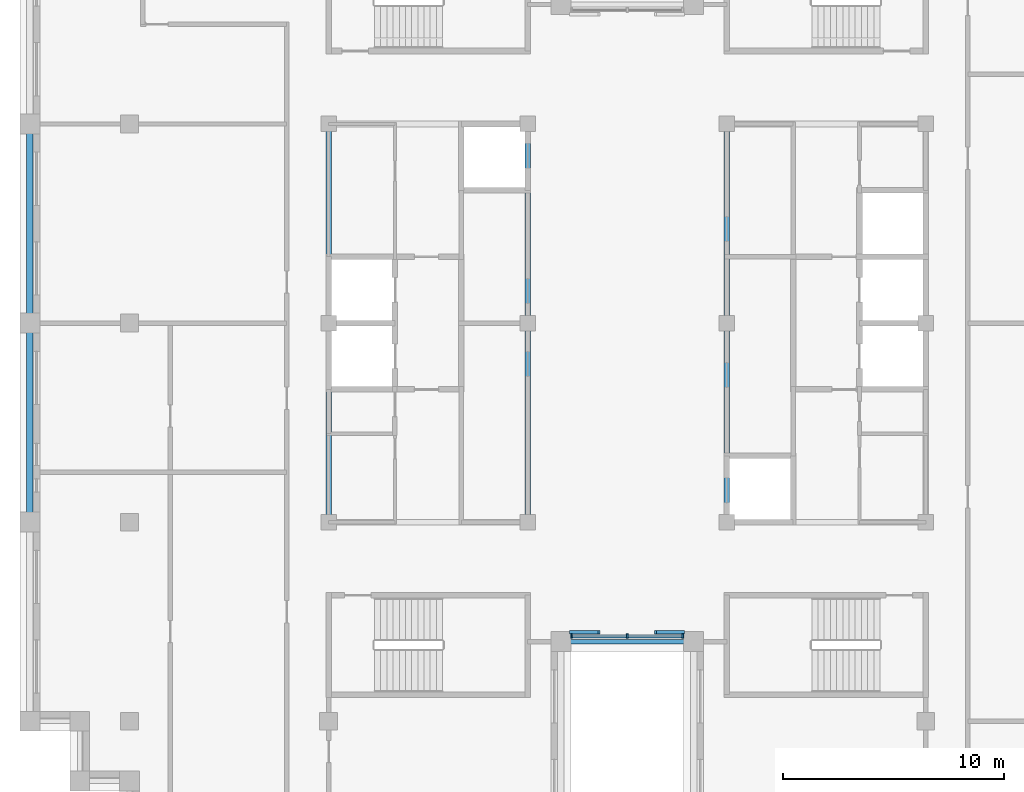
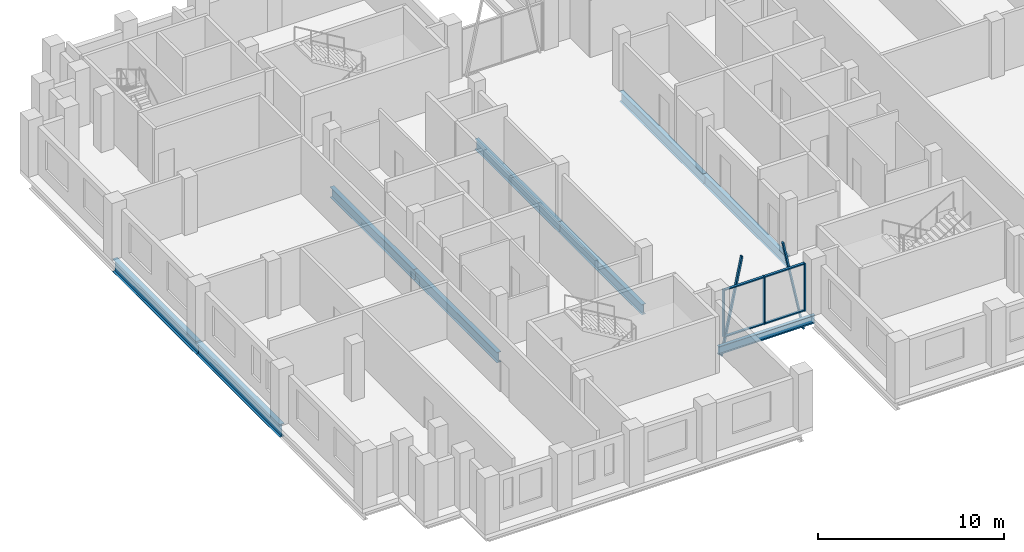
# One storey, part 2 of 13: 9 beams, 9 members, 1 element without a shape of its own.
"""IFC4 building model written with IfcOpenShell, lengths in metres."""

from ifc_helpers import new_model, si_unit, direction, frame, origin, origin_2d, place, context, subcontext, project, spatial, rectangle, i_section, extrude, material, layer, layer_set, material_profile, profile_set, type_object, element, aggregate, save


model = new_model("IFC4")

# Units and contexts
model_context = context("Model", 3, precision=1e-05, world=origin(), true_north=direction((0.0, 1.0)))
body_context = subcontext(model_context, "Body", "Model", "MODEL_VIEW")
ifc_project = project(units=[si_unit("LENGTHUNIT", "METRE"), si_unit("AREAUNIT", "SQUARE_METRE"), si_unit("VOLUMEUNIT", "CUBIC_METRE"), si_unit("PLANEANGLEUNIT", "RADIAN"), si_unit("MASSUNIT", "GRAM", prefix="KILO")], contexts=[model_context])

# Site, building, storey
site_placement = place(None, origin())
site = spatial("IfcSite", under=ifc_project, at=site_placement, CompositionType="ELEMENT")
building_placement = place(site_placement, origin())
building = spatial("IfcBuilding", under=site, at=building_placement, Name="Corbelhall Arena Tower", CompositionType="ELEMENT")
storey_placement = place(building_placement, frame((0.0, 0.0, 312.0)))
storey = spatial("IfcBuildingStorey", under=building, at=storey_placement, Name="L68", CompositionType="ELEMENT", Elevation=312.0)

# Curtain wall, members
ifc_material_1 = material(Name="Aluminium black anodised", Category="aluminium")
ifc_layer = layer(ifc_material_1, 0.199951171875)
ifc_layer_set = layer_set([ifc_layer], Name="EV-CW1 Slot back wall")
curtain_wall_type = type_object("IfcCurtainWallType", Name="EV-CW1 Slot back wall", PredefinedType="NOTDEFINED", material=ifc_layer_set)
curtain_wall_placement = place(storey_placement, origin())
curtain_wall = element("IfcCurtainWall", 1, at=curtain_wall_placement, inside=storey, type_object=curtain_wall_type, Name="Curtain wall CW1", PredefinedType="NOTDEFINED")
ifc_material_profile_1 = material_profile(ifc_material_1, rectangle(XDim=0.199951171875, YDim=0.074951171875, at=origin_2d()))
ifc_profile_set_1 = profile_set([ifc_material_profile_1], Name="Aluminium black anodised")
member_type_1 = type_object("IfcMemberType", Name="EV-CW1-MULLION", PredefinedType="MULLION", material=ifc_profile_set_1)
member_1_placement = place(storey_placement, frame((-2.512451171875, -14.14990234375, 0.0), z_axis=(0.0, 0.0, 1.0), x_axis=(0.0, 1.0, 0.0)))
member_1 = element("IfcMember", 2, at=member_1_placement, type_object=member_type_1, Name="CW1 mullion 1", PredefinedType="MULLION", context=body_context, shape_type="SweptSolid", body=[
    extrude(rectangle(XDim=0.199951171875, YDim=0.074951171875, at=origin_2d()), origin(), (0.0, 0.0, 1.0), 3.139892578125),
])
member_2_placement = place(storey_placement, frame((0.0, -14.14990234375, 0.0), z_axis=(0.0, 0.0, 1.0), x_axis=(0.0, 1.0, 0.0)))
member_2 = element("IfcMember", 3, at=member_2_placement, type_object=member_type_1, Name="CW1 mullion 2", PredefinedType="MULLION", context=body_context, shape_type="SweptSolid", body=[
    extrude(rectangle(XDim=0.199951171875, YDim=0.074951171875, at=origin_2d()), origin(), (0.0, 0.0, 1.0), 3.139892578125),
])
member_3_placement = place(storey_placement, frame((2.512451171875, -14.14990234375, 0.0), z_axis=(0.0, 0.0, 1.0), x_axis=(0.0, 1.0, 0.0)))
member_3 = element("IfcMember", 4, at=member_3_placement, type_object=member_type_1, Name="CW1 mullion 3", PredefinedType="MULLION", context=body_context, shape_type="SweptSolid", body=[
    extrude(rectangle(XDim=0.199951171875, YDim=0.074951171875, at=origin_2d()), origin(), (0.0, 0.0, 1.0), 3.139892578125),
])
ifc_material_profile_2 = material_profile(ifc_material_1, rectangle(XDim=0.14990234375, YDim=0.074951171875, at=origin_2d()))
ifc_profile_set_2 = profile_set([ifc_material_profile_2], Name="Aluminium black anodised")
member_type_2 = type_object("IfcMemberType", Name="EV-CW1-TRANSOM", PredefinedType="USERDEFINED", material=ifc_profile_set_2)
member_4_placement = place(storey_placement, frame((-2.47509765625, -14.14990234375, 0.03759765625), z_axis=(1.0, 0.0, 0.0), x_axis=(0.0, 1.0, 0.0)))
member_4 = element("IfcMember", 5, at=member_4_placement, type_object=member_type_2, Name="CW1 transom 1.1", ObjectType="transom", PredefinedType="USERDEFINED", context=body_context, shape_type="SweptSolid", body=[
    extrude(rectangle(XDim=0.14990234375, YDim=0.074951171875, at=origin_2d()), origin(), (0.0, 0.0, 1.0), 2.4375),
])
member_5_placement = place(storey_placement, frame((-2.47509765625, -14.14990234375, 3.1025390625), z_axis=(1.0, 0.0, 0.0), x_axis=(0.0, 1.0, 0.0)))
member_5 = element("IfcMember", 6, at=member_5_placement, type_object=member_type_2, Name="CW1 transom 1.2", ObjectType="transom", PredefinedType="USERDEFINED", context=body_context, shape_type="SweptSolid", body=[
    extrude(rectangle(XDim=0.14990234375, YDim=0.074951171875, at=origin_2d()), origin(), (0.0, 0.0, 1.0), 2.4375),
])
member_6_placement = place(storey_placement, frame((0.03759765625, -14.14990234375, 0.03759765625), z_axis=(1.0, 0.0, 0.0), x_axis=(0.0, 1.0, 0.0)))
member_6 = element("IfcMember", 7, at=member_6_placement, type_object=member_type_2, Name="CW1 transom 2.1", ObjectType="transom", PredefinedType="USERDEFINED", context=body_context, shape_type="SweptSolid", body=[
    extrude(rectangle(XDim=0.14990234375, YDim=0.074951171875, at=origin_2d()), origin(), (0.0, 0.0, 1.0), 2.4375),
])
member_7_placement = place(storey_placement, frame((0.03759765625, -14.14990234375, 3.1025390625), z_axis=(1.0, 0.0, 0.0), x_axis=(0.0, 1.0, 0.0)))
member_7 = element("IfcMember", 8, at=member_7_placement, type_object=member_type_2, Name="CW1 transom 2.2", ObjectType="transom", PredefinedType="USERDEFINED", context=body_context, shape_type="SweptSolid", body=[
    extrude(rectangle(XDim=0.14990234375, YDim=0.074951171875, at=origin_2d()), origin(), (0.0, 0.0, 1.0), 2.4375),
])
aggregate(curtain_wall, [member_1, member_2, member_3, member_4, member_5, member_6, member_7])

# Members
ifc_material_profile_3 = material_profile(ifc_material_1, rectangle(XDim=0.159912109375, YDim=0.10009765625, at=origin_2d()))
ifc_profile_set_3 = profile_set([ifc_material_profile_3], Name="Aluminium black anodised")
member_type_3 = type_object("IfcMemberType", Name="EV-TR1 Tracery bar", PredefinedType="USERDEFINED", material=ifc_profile_set_3)
for number, where, z_axis, x_axis, name in (
    (9, (-2.550048828125, -13.969970703125, -1.307373046875), (0.204144671158, 0.0, 0.978940730197), (0.0, 1.0, 0.0), "Tracery bar"),
    (10, (1.27490234375, -13.969970703125, 4.807373046875), (0.204144671158, 0.0, -0.978940730197), (0.0, 1.0, 0.0), "Tracery bar"),
):
    element("IfcMember", number, at=place(storey_placement, frame(where, z_axis=z_axis, x_axis=x_axis)), inside=storey, type_object=member_type_3, Name=name, ObjectType="TRACERY", PredefinedType="USERDEFINED", context=body_context, shape_type="SweptSolid", body=[
        extrude(rectangle(XDim=0.159912109375, YDim=0.10009765625, at=origin_2d()), origin(), (0.0, 0.0, 1.0), 6.246337890625),
    ])

# Beams
ifc_material_2 = material(Name="Steel ASTM A992 Gr50", Category="steel")
ifc_material_profile_4 = material_profile(ifc_material_2, i_section(OverallWidth=0.25390625, OverallDepth=0.67822265625, WebThickness=0.01171875, FlangeThickness=0.016357421875, at=origin_2d()))
ifc_profile_set_4 = profile_set([ifc_material_profile_4], Name="Steel ASTM A992 Gr50")
beam_type_1 = type_object("IfcBeamType", Name="ST-BEAM-W27x84", PredefinedType="BEAM", material=ifc_profile_set_4)
for number, where, z_axis, x_axis, name in (
    (11, (-13.5, -9.0, -0.59912109375), (0.0, 1.0, 0.0), (-1.0, 0.0, 0.0), "Beam CEW 1"),
    (12, (-13.5, 0.0, -0.59912109375), (0.0, 1.0, 0.0), (-1.0, 0.0, 0.0), "Beam CEW 2"),
    (13, (-4.5, -9.0, -0.59912109375), (0.0, 1.0, 0.0), (-1.0, 0.0, 0.0), "Beam CEW 3"),
    (14, (-4.5, 0.0, -0.59912109375), (0.0, 1.0, 0.0), (-1.0, 0.0, 0.0), "Beam CEW 4"),
    (15, (4.5, -9.0, -0.59912109375), (0.0, 1.0, 0.0), (-1.0, 0.0, 0.0), "Beam CEE 7"),
    (16, (4.5, 0.0, -0.59912109375), (0.0, 1.0, 0.0), (-1.0, 0.0, 0.0), "Beam CEE 8"),
):
    element("IfcBeam", number, at=place(storey_placement, frame(where, z_axis=z_axis, x_axis=x_axis)), inside=storey, type_object=beam_type_1, Name=name, PredefinedType="BEAM", context=body_context, shape_type="SweptSolid", body=[
        extrude(i_section(OverallWidth=0.25390625, OverallDepth=0.67822265625, WebThickness=0.01171875, FlangeThickness=0.016357421875, at=origin_2d()), origin(), (0.0, 0.0, 1.0), 9.0),
    ])
ifc_material_profile_5 = material_profile(ifc_material_2, i_section(OverallWidth=0.209228515625, OverallDepth=0.533447265625, WebThickness=0.01025390625, FlangeThickness=0.015625, at=origin_2d()))
ifc_profile_set_5 = profile_set([ifc_material_profile_5], Name="Steel ASTM A992 Gr50")
beam_type_2 = type_object("IfcBeamType", Name="ST-SPANDREL-W21x62", PredefinedType="SPANDREL", material=ifc_profile_set_5)
beam_placement = place(storey_placement, frame((3.0, -14.39990234375, -0.526611328125), z_axis=(-1.0, 0.0, 0.0), x_axis=(0.0, -1.0, 0.0)))
element("IfcBeam", 17, at=beam_placement, inside=storey, type_object=beam_type_2, Name="Beam SP 33", PredefinedType="SPANDREL", context=body_context, shape_type="SweptSolid", body=[
    extrude(i_section(OverallWidth=0.209228515625, OverallDepth=0.533447265625, WebThickness=0.01025390625, FlangeThickness=0.015625, at=origin_2d()), origin(), (0.0, 0.0, 1.0), 6.0),
])
ifc_material_profile_6 = material_profile(ifc_material_2, i_section(OverallWidth=0.2919921875, OverallDepth=0.845703125, WebThickness=0.015380859375, FlangeThickness=0.0244140625, at=origin_2d()))
ifc_profile_set_6 = profile_set([ifc_material_profile_6], Name="Steel ASTM A992 Gr50")
beam_type_3 = type_object("IfcBeamType", Name="ST-SPANDREL-W33x141", PredefinedType="SPANDREL", material=ifc_profile_set_6)
for number, where, z_axis, x_axis, name in (
    (18, (-27.0, 0.0, -0.682861328125), (0.0, 1.0, 0.0), (-1.0, 0.0, 0.0), "Beam SP 26"),
    (19, (-27.0, -9.0, -0.682861328125), (0.0, 1.0, 0.0), (-1.0, 0.0, 0.0), "Beam SP 29"),
):
    element("IfcBeam", number, at=place(storey_placement, frame(where, z_axis=z_axis, x_axis=x_axis)), inside=storey, type_object=beam_type_3, Name=name, PredefinedType="SPANDREL", context=body_context, shape_type="SweptSolid", body=[
        extrude(i_section(OverallWidth=0.2919921875, OverallDepth=0.845703125, WebThickness=0.015380859375, FlangeThickness=0.0244140625, at=origin_2d()), origin(), (0.0, 0.0, 1.0), 9.0),
    ])

save(model, "model.ifc")
